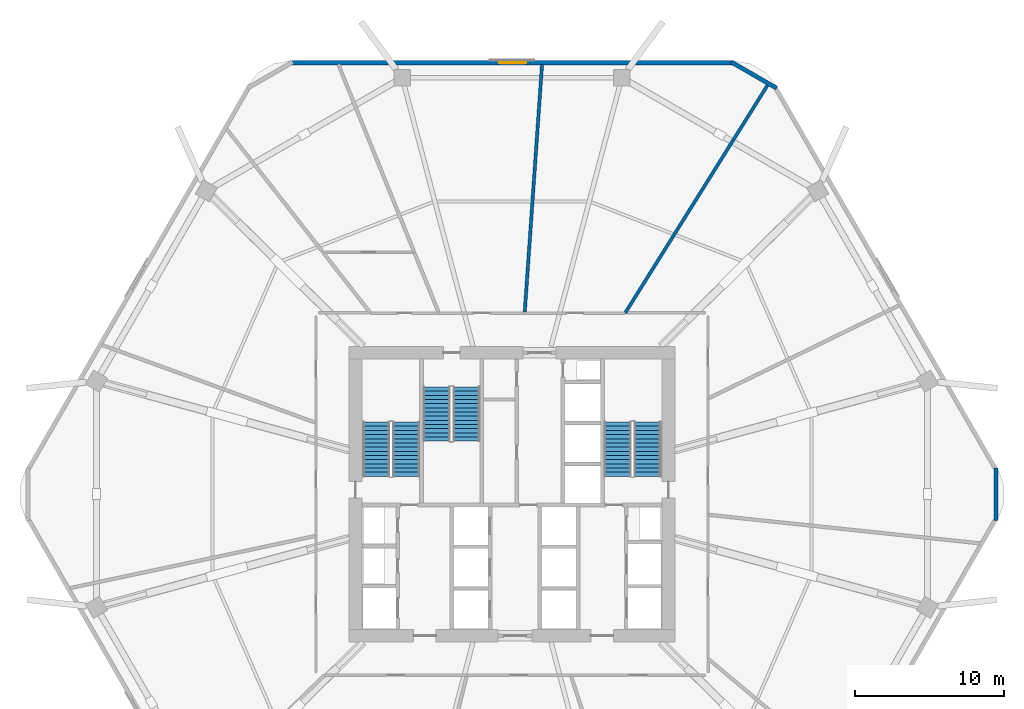
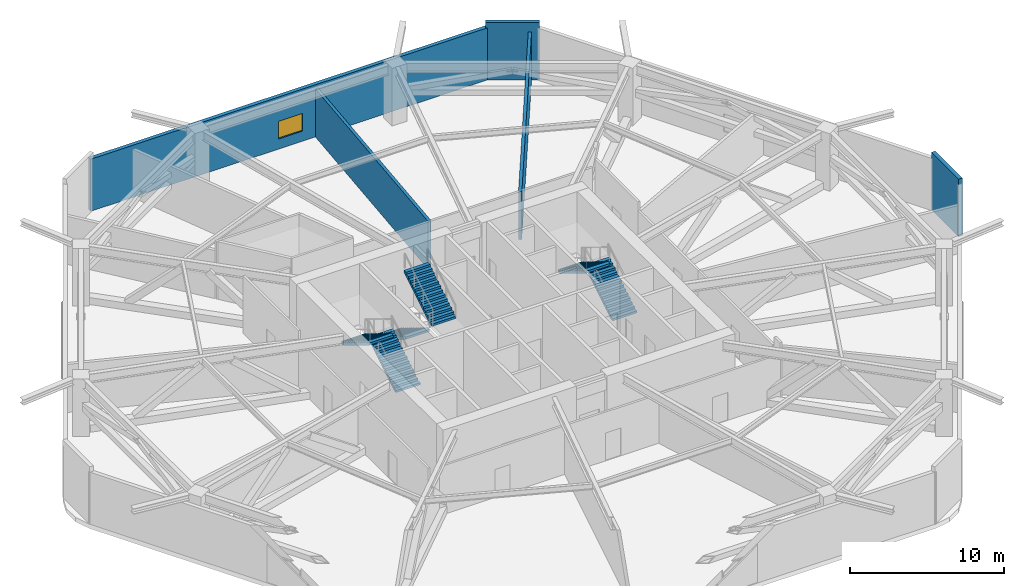
# One storey, part 6 of 10: 6 stair flights, 5 walls, 1 window, 1 opening, 3 elements without a shape of their own.
"""IFC4 building model written with IfcOpenShell, lengths in metres."""

from ifc_helpers import new_model, si_unit, direction, frame, frame_2d, origin, place, context, subcontext, project, spatial, polyline, rectangle, outline, extrude, material, layer, layer_set, type_object, element, fill, aggregate, save


model = new_model("IFC4")

# Units and contexts
model_context = context("Model", 3, precision=1e-05, world=origin(), true_north=direction((0.0, 1.0)))
body_context = subcontext(model_context, "Body", "Model", "MODEL_VIEW")
ifc_project = project(units=[si_unit("LENGTHUNIT", "METRE"), si_unit("AREAUNIT", "SQUARE_METRE"), si_unit("VOLUMEUNIT", "CUBIC_METRE"), si_unit("PLANEANGLEUNIT", "RADIAN"), si_unit("MASSUNIT", "GRAM", prefix="KILO")], contexts=[model_context])

# Site, building, storey
site_placement = place(None, origin())
site = spatial("IfcSite", under=ifc_project, at=site_placement, CompositionType="ELEMENT")
building_placement = place(site_placement, origin())
building = spatial("IfcBuilding", under=site, at=building_placement, Name="Zuhravey Tower", CompositionType="ELEMENT")
storey_placement = place(building_placement, frame((0.0, 0.0, 87.60009765625)))
storey = spatial("IfcBuildingStorey", under=building, at=storey_placement, Name="L21", CompositionType="ELEMENT", Elevation=87.60009765625)

# Wall, opening, window
ifc_material_1 = material(Name="Precast concrete C40/50", Category="concrete")
ifc_layer_1 = layer(ifc_material_1, 0.280029296875)
ifc_layer_set_1 = layer_set([ifc_layer_1], Name="Precast concrete C40/50")
wall_type_1 = type_object("IfcWallType", Name="Crown Architectural Wall 280", PredefinedType="SOLIDWALL", material=ifc_layer_set_1)
wall_1_placement = place(storey_placement, frame((21.10546875, 60.95849609375, 0.0), z_axis=(0.0, 0.0, 1.0), x_axis=(1.0, 0.0, 0.0)))
wall_1 = element("IfcWall", 1, at=wall_1_placement, inside=storey, type_object=wall_type_1, Name="L21 Face 2 Plant Enclosure Wall EW28", PredefinedType="SOLIDWALL", context=body_context, shape_type="SweptSolid", body=[
    extrude(rectangle(XDim=29.7890625, YDim=0.280029296875, at=frame_2d((14.89453125, 0.0))), origin(), (0.0, 0.0, 1.0), 4.121826171875),
])
opening_placement = place(wall_1_placement, frame((14.049560546875, 0.0, 0.800048828125)))
opening = element("IfcOpeningElement", 2, at=opening_placement, cuts=wall_1, Name="Opening WN2", PredefinedType="OPENING", context=body_context, shape_type="SweptSolid", body=[
    extrude(rectangle(XDim=1.800048828125, YDim=1.39990234375, at=frame_2d((0.89990234375, 0.699951171875))), frame((0.0, 0.152099609375, 0.0), z_axis=(0.0, -1.0, 0.0), x_axis=(1.0, 0.0, 0.0)), (0.0, 0.0, 1.0), 0.303955078125),
])
ifc_material_2 = material(Name="Anodised aluminium acoustic louvre frame", Category="aluminium")
window_type = type_object("IfcWindowType", Name="Crown Plant Louvre Window 1800x1400", PartitioningType="SINGLE_PANEL", PredefinedType="WINDOW", material=ifc_material_2)
window_placement = place(opening_placement, origin())
window = element("IfcWindow", 3, at=window_placement, inside=storey, type_object=window_type, Name="L21 Face 2 Plant Louvre Window WN2", OverallHeight=1.39990234375, OverallWidth=1.800048828125, PartitioningType="SINGLE_PANEL", PredefinedType="WINDOW", context=body_context, shape_type="SweptSolid", body=[
    extrude(rectangle(XDim=1.800048828125, YDim=1.39990234375, at=frame_2d((0.89990234375, 0.699951171875))), frame((0.0, 0.030029296875, 0.0), z_axis=(0.0, -1.0, 0.0), x_axis=(1.0, 0.0, 0.0)), (0.0, 0.0, 1.0), 0.06005859375),
])
fill(opening, window)

# Walls
wall_2_placement = place(storey_placement, frame((50.71728515625, 61.006103515625, 0.0), z_axis=(0.0, 0.0, 1.0), x_axis=(0.866007452331, -0.500031091541, 0.0)))
element("IfcWall", 4, at=wall_2_placement, inside=storey, type_object=wall_type_1, Name="L21 Rounded Corner Closure Wall EW28-10", PredefinedType="SOLIDWALL", context=body_context, shape_type="SweptSolid", body=[
    extrude(rectangle(XDim=3.514892578125, YDim=0.280029296875, at=frame_2d((1.75732421875, 0.0))), origin(), (0.0, 0.0, 1.0), 4.5498046875),
])
wall_3_placement = place(storey_placement, frame((68.478515625, 33.757568359375, 0.0), z_axis=(0.0, 0.0, 1.0), x_axis=(0.0, -1.0, 0.0)))
element("IfcWall", 5, at=wall_3_placement, inside=storey, type_object=wall_type_1, Name="L21 Rounded Corner Closure Wall EW28-12", PredefinedType="SOLIDWALL", context=body_context, shape_type="SweptSolid", body=[
    extrude(rectangle(XDim=3.51513671875, YDim=0.280029296875, at=frame_2d((1.757568359375, 0.0))), origin(), (0.0, 0.0, 1.0), 4.5498046875),
])
ifc_material_3 = material(Name="Gypsum acoustic stud assembly")
ifc_layer_2 = layer(ifc_material_3, 0.219970703125)
ifc_layer_set_2 = layer_set([ifc_layer_2], Name="Gypsum acoustic stud assembly")
wall_type_2 = type_object("IfcWallType", Name="School Acoustic Compartment Wall 220", PredefinedType="PARTITIONING", material=ifc_layer_set_2)
wall_4_placement = place(storey_placement, frame((43.59521484375, 44.155029296875, 0.0), z_axis=(0.0, 0.0, 1.0), x_axis=(0.52991993384, 0.84804767774, 0.0)))
element("IfcWall", 6, at=wall_4_placement, inside=storey, type_object=wall_type_2, Name="L21 IW22 Partition 040", PredefinedType="PARTITIONING", context=body_context, shape_type="SweptSolid", body=[
    extrude(rectangle(XDim=18.055419921875, YDim=0.219970703125, at=frame_2d((9.02783203125, 0.0))), origin(), (0.0, 0.0, 1.0), 3.7998046875),
])
wall_5_placement = place(storey_placement, frame((36.856201171875, 44.242919921875, 0.0), z_axis=(0.0, 0.0, 1.0), x_axis=(0.069754400619, 0.997564195225, 0.0)))
element("IfcWall", 7, at=wall_5_placement, inside=storey, type_object=wall_type_2, Name="L21 IW22 Partition 041", PredefinedType="PARTITIONING", context=body_context, shape_type="SweptSolid", body=[
    extrude(rectangle(XDim=16.64599609375, YDim=0.219970703125, at=frame_2d((8.322998046875, 0.0))), origin(), (0.0, 0.0, 1.0), 3.7998046875),
])

# Stair, stair flights
ifc_material_4 = material(Name="Concrete C40/50", Category="concrete")
stair_type = type_object("IfcStairType", Name="Refuge Storey Stair Assembly 4800", PredefinedType="HALF_TURN_STAIR", material=ifc_material_4)
stair_1_placement = place(storey_placement, origin())
stair_1 = element("IfcStair", 8, at=stair_1_placement, inside=storey, type_object=stair_type, Name="L21 Core Exit Stair ST1", PredefinedType="HALF_TURN_STAIR")
stair_flight_type = type_object("IfcStairFlightType", Name="Refuge Storey Stair Flight 4800", PredefinedType="STRAIGHT", material=ifc_material_4)
stair_flight_1_placement = place(storey_placement, frame((28.89990234375, 33.199951171875, 0.0), z_axis=(0.0, 0.0, 1.0), x_axis=(0.0, 1.0, 0.0)))
stair_flight_1 = element("IfcStairFlight", 9, at=stair_flight_1_placement, type_object=stair_flight_type, Name="ST1 flight 1", NumberOfRisers=14, NumberOfTreads=13, PredefinedType="STRAIGHT", RiserHeight=0.171428571, TreadLength=0.28, context=body_context, shape_type="SweptSolid", body=[
    extrude(outline(polyline([(0.0, 0.0), (0.0, 0.17138671875), (0.280029296875, 0.17138671875), (0.280029296875, 0.3427734375), (0.56005859375, 0.3427734375), (0.56005859375, 0.514404296875), (0.840087890625, 0.514404296875), (0.840087890625, 0.685791015625), (1.1201171875, 0.685791015625), (1.1201171875, 0.857177734375), (1.39990234375, 0.857177734375), (1.39990234375, 1.028564453125), (1.679931640625, 1.028564453125), (1.679931640625, 1.199951171875), (1.9599609375, 1.199951171875), (1.9599609375, 1.371337890625), (2.239990234375, 1.371337890625), (2.239990234375, 1.54296875), (2.52001953125, 1.54296875), (2.52001953125, 1.71435546875), (2.800048828125, 1.71435546875), (2.800048828125, 1.8857421875), (3.080078125, 1.8857421875), (3.080078125, 2.05712890625), (3.360107421875, 2.05712890625), (3.360107421875, 2.228515625), (3.639892578125, 2.228515625), (3.639892578125, 2.39990234375), (3.639892578125, 2.052734375), (0.287109375, 0.0), (0.0, 0.0)])), frame((0.0, 0.89990234375, 0.0), z_axis=(0.0, -1.0, 0.0), x_axis=(1.0, 0.0, 0.0)), (0.0, 0.0, 1.0), 1.800048828125),
])
stair_flight_2_placement = place(storey_placement, frame((26.89990234375, 36.840087890625, 2.39990234375), z_axis=(0.0, 0.0, 1.0), x_axis=(0.0, -1.0, 0.0)))
stair_flight_2 = element("IfcStairFlight", 10, at=stair_flight_2_placement, type_object=stair_flight_type, Name="ST1 flight 2", NumberOfRisers=14, NumberOfTreads=13, PredefinedType="STRAIGHT", RiserHeight=0.171428571, TreadLength=0.28, context=body_context, shape_type="SweptSolid", body=[
    extrude(outline(polyline([(0.0, 0.0), (0.0, 0.17138671875), (0.280029296875, 0.17138671875), (0.280029296875, 0.3427734375), (0.56005859375, 0.3427734375), (0.56005859375, 0.514404296875), (0.840087890625, 0.514404296875), (0.840087890625, 0.685791015625), (1.1201171875, 0.685791015625), (1.1201171875, 0.857177734375), (1.39990234375, 0.857177734375), (1.39990234375, 1.028564453125), (1.679931640625, 1.028564453125), (1.679931640625, 1.199951171875), (1.9599609375, 1.199951171875), (1.9599609375, 1.371337890625), (2.239990234375, 1.371337890625), (2.239990234375, 1.54296875), (2.52001953125, 1.54296875), (2.52001953125, 1.71435546875), (2.800048828125, 1.71435546875), (2.800048828125, 1.8857421875), (3.080078125, 1.8857421875), (3.080078125, 2.05712890625), (3.360107421875, 2.05712890625), (3.360107421875, 2.228515625), (3.639892578125, 2.228515625), (3.639892578125, 2.39990234375), (3.639892578125, 2.052734375), (0.287109375, 0.0), (0.0, 0.0)])), frame((0.0, 0.89990234375, 0.0), z_axis=(0.0, -1.0, 0.0), x_axis=(1.0, 0.0, 0.0)), (0.0, 0.0, 1.0), 1.800048828125),
])
aggregate(stair_1, [stair_flight_1, stair_flight_2])

stair_2_placement = place(storey_placement, origin())
stair_2 = element("IfcStair", 11, at=stair_2_placement, inside=storey, type_object=stair_type, Name="L21 Core Exit Stair ST2", PredefinedType="HALF_TURN_STAIR")
stair_flight_3_placement = place(storey_placement, frame((45.10009765625, 33.199951171875, 0.0), z_axis=(0.0, 0.0, 1.0), x_axis=(0.0, 1.0, 0.0)))
stair_flight_3 = element("IfcStairFlight", 12, at=stair_flight_3_placement, type_object=stair_flight_type, Name="ST2 flight 1", NumberOfRisers=14, NumberOfTreads=13, PredefinedType="STRAIGHT", RiserHeight=0.171428571, TreadLength=0.28, context=body_context, shape_type="SweptSolid", body=[
    extrude(outline(polyline([(0.0, 0.0), (0.0, 0.17138671875), (0.280029296875, 0.17138671875), (0.280029296875, 0.3427734375), (0.56005859375, 0.3427734375), (0.56005859375, 0.514404296875), (0.840087890625, 0.514404296875), (0.840087890625, 0.685791015625), (1.1201171875, 0.685791015625), (1.1201171875, 0.857177734375), (1.39990234375, 0.857177734375), (1.39990234375, 1.028564453125), (1.679931640625, 1.028564453125), (1.679931640625, 1.199951171875), (1.9599609375, 1.199951171875), (1.9599609375, 1.371337890625), (2.239990234375, 1.371337890625), (2.239990234375, 1.54296875), (2.52001953125, 1.54296875), (2.52001953125, 1.71435546875), (2.800048828125, 1.71435546875), (2.800048828125, 1.8857421875), (3.080078125, 1.8857421875), (3.080078125, 2.05712890625), (3.360107421875, 2.05712890625), (3.360107421875, 2.228515625), (3.639892578125, 2.228515625), (3.639892578125, 2.39990234375), (3.639892578125, 2.052734375), (0.287109375, 0.0), (0.0, 0.0)])), frame((0.0, 0.89990234375, 0.0), z_axis=(0.0, -1.0, 0.0), x_axis=(1.0, 0.0, 0.0)), (0.0, 0.0, 1.0), 1.800048828125),
])
stair_flight_4_placement = place(storey_placement, frame((43.10009765625, 36.840087890625, 2.39990234375), z_axis=(0.0, 0.0, 1.0), x_axis=(0.0, -1.0, 0.0)))
stair_flight_4 = element("IfcStairFlight", 13, at=stair_flight_4_placement, type_object=stair_flight_type, Name="ST2 flight 2", NumberOfRisers=14, NumberOfTreads=13, PredefinedType="STRAIGHT", RiserHeight=0.171428571, TreadLength=0.28, context=body_context, shape_type="SweptSolid", body=[
    extrude(outline(polyline([(0.0, 0.0), (0.0, 0.17138671875), (0.280029296875, 0.17138671875), (0.280029296875, 0.3427734375), (0.56005859375, 0.3427734375), (0.56005859375, 0.514404296875), (0.840087890625, 0.514404296875), (0.840087890625, 0.685791015625), (1.1201171875, 0.685791015625), (1.1201171875, 0.857177734375), (1.39990234375, 0.857177734375), (1.39990234375, 1.028564453125), (1.679931640625, 1.028564453125), (1.679931640625, 1.199951171875), (1.9599609375, 1.199951171875), (1.9599609375, 1.371337890625), (2.239990234375, 1.371337890625), (2.239990234375, 1.54296875), (2.52001953125, 1.54296875), (2.52001953125, 1.71435546875), (2.800048828125, 1.71435546875), (2.800048828125, 1.8857421875), (3.080078125, 1.8857421875), (3.080078125, 2.05712890625), (3.360107421875, 2.05712890625), (3.360107421875, 2.228515625), (3.639892578125, 2.228515625), (3.639892578125, 2.39990234375), (3.639892578125, 2.052734375), (0.287109375, 0.0), (0.0, 0.0)])), frame((0.0, 0.89990234375, 0.0), z_axis=(0.0, -1.0, 0.0), x_axis=(1.0, 0.0, 0.0)), (0.0, 0.0, 1.0), 1.800048828125),
])
aggregate(stair_2, [stair_flight_3, stair_flight_4])

stair_3_placement = place(storey_placement, origin())
stair_3 = element("IfcStair", 14, at=stair_3_placement, inside=storey, type_object=stair_type, Name="L21 Core Exit Stair ST3", PredefinedType="HALF_TURN_STAIR")
stair_flight_5_placement = place(storey_placement, frame((30.949951171875, 39.199951171875, 0.0), z_axis=(0.0, 0.0, 1.0), x_axis=(0.0, -1.0, 0.0)))
stair_flight_5 = element("IfcStairFlight", 15, at=stair_flight_5_placement, type_object=stair_flight_type, Name="ST3 flight 1", NumberOfRisers=14, NumberOfTreads=13, PredefinedType="STRAIGHT", RiserHeight=0.171428571, TreadLength=0.28, context=body_context, shape_type="SweptSolid", body=[
    extrude(outline(polyline([(0.0, 0.0), (0.0, 0.17138671875), (0.280029296875, 0.17138671875), (0.280029296875, 0.3427734375), (0.56005859375, 0.3427734375), (0.56005859375, 0.514404296875), (0.840087890625, 0.514404296875), (0.840087890625, 0.685791015625), (1.1201171875, 0.685791015625), (1.1201171875, 0.857177734375), (1.39990234375, 0.857177734375), (1.39990234375, 1.028564453125), (1.679931640625, 1.028564453125), (1.679931640625, 1.199951171875), (1.9599609375, 1.199951171875), (1.9599609375, 1.371337890625), (2.239990234375, 1.371337890625), (2.239990234375, 1.54296875), (2.52001953125, 1.54296875), (2.52001953125, 1.71435546875), (2.800048828125, 1.71435546875), (2.800048828125, 1.8857421875), (3.080078125, 1.8857421875), (3.080078125, 2.05712890625), (3.360107421875, 2.05712890625), (3.360107421875, 2.228515625), (3.639892578125, 2.228515625), (3.639892578125, 2.39990234375), (3.639892578125, 2.052734375), (0.287109375, 0.0), (0.0, 0.0)])), frame((0.0, 0.89990234375, 0.0), z_axis=(0.0, -1.0, 0.0), x_axis=(1.0, 0.0, 0.0)), (0.0, 0.0, 1.0), 1.800048828125),
])
stair_flight_6_placement = place(storey_placement, frame((32.949951171875, 35.56005859375, 2.39990234375), z_axis=(0.0, 0.0, 1.0), x_axis=(0.0, 1.0, 0.0)))
stair_flight_6 = element("IfcStairFlight", 16, at=stair_flight_6_placement, type_object=stair_flight_type, Name="ST3 flight 2", NumberOfRisers=14, NumberOfTreads=13, PredefinedType="STRAIGHT", RiserHeight=0.171428571, TreadLength=0.28, context=body_context, shape_type="SweptSolid", body=[
    extrude(outline(polyline([(0.0, 0.0), (0.0, 0.17138671875), (0.280029296875, 0.17138671875), (0.280029296875, 0.3427734375), (0.56005859375, 0.3427734375), (0.56005859375, 0.514404296875), (0.840087890625, 0.514404296875), (0.840087890625, 0.685791015625), (1.1201171875, 0.685791015625), (1.1201171875, 0.857177734375), (1.39990234375, 0.857177734375), (1.39990234375, 1.028564453125), (1.679931640625, 1.028564453125), (1.679931640625, 1.199951171875), (1.9599609375, 1.199951171875), (1.9599609375, 1.371337890625), (2.239990234375, 1.371337890625), (2.239990234375, 1.54296875), (2.52001953125, 1.54296875), (2.52001953125, 1.71435546875), (2.800048828125, 1.71435546875), (2.800048828125, 1.8857421875), (3.080078125, 1.8857421875), (3.080078125, 2.05712890625), (3.360107421875, 2.05712890625), (3.360107421875, 2.228515625), (3.639892578125, 2.228515625), (3.639892578125, 2.39990234375), (3.639892578125, 2.052734375), (0.287109375, 0.0), (0.0, 0.0)])), frame((0.0, 0.89990234375, 0.0), z_axis=(0.0, -1.0, 0.0), x_axis=(1.0, 0.0, 0.0)), (0.0, 0.0, 1.0), 1.800048828125),
])
aggregate(stair_3, [stair_flight_5, stair_flight_6])

save(model, "model.ifc")
